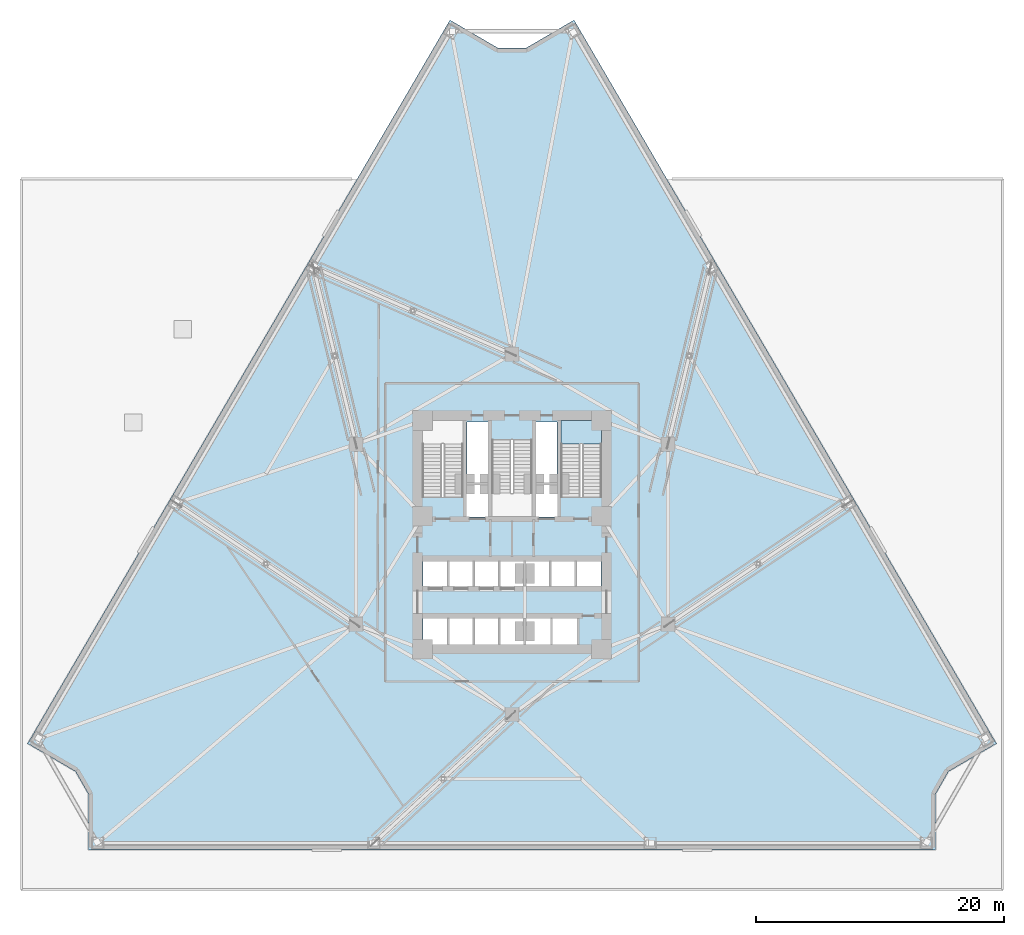
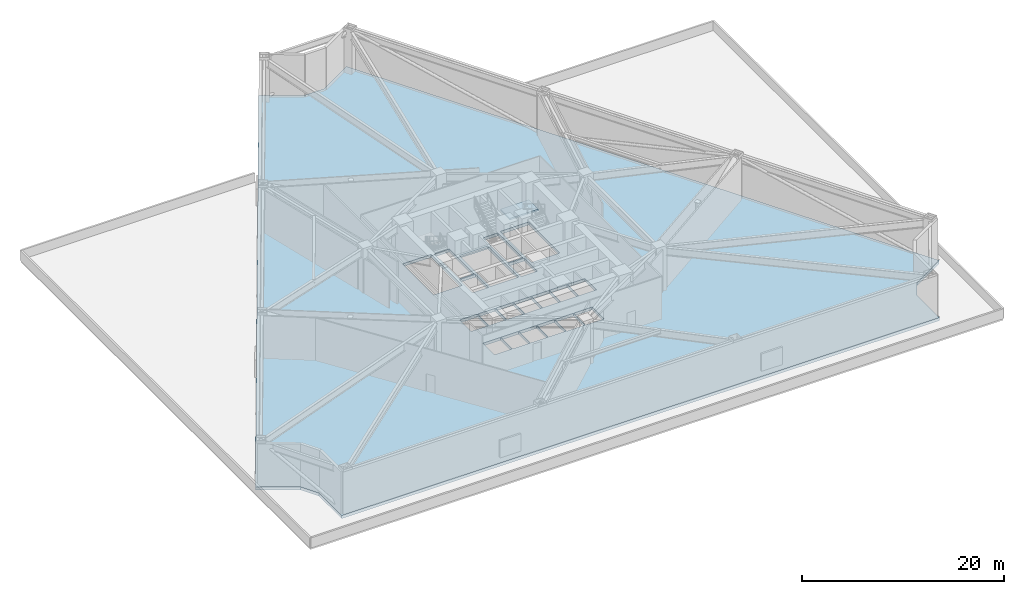
# One storey, part 11 of 23: 2 slabs, 1 element without a shape of its own.
"""IFC4 building model written with IfcOpenShell, lengths in metres."""

import ifcopenshell
import ifcopenshell.guid

model = None  # the IFC model being written
_history = None  # IfcOwnerHistory: only IFC2X3 demands one
_inside = {}  # id of a spatial element -> (the spatial element, [elements in it])
_under = {}  # id of a project, library or spatial element -> (it, [spatial elements below it])
_declared = {}  # id of a project -> (the project, [libraries it declares])
_typed = {}  # id of a type object -> (the type object, [elements of that type])
_made_of = {}  # id of a material, layer set ... -> (it, [elements and type objects made of it])


def new_model(schema):
    """Start an empty IFC model of exactly this schema.

    Asked for "IFC4X3", IfcOpenShell would pick the latest addendum, in which some entities
    have other attributes; the version numbers below select the first issue.
    IFC2X3 requires an IfcOwnerHistory on every rooted entity: one is made here for all.
    """
    global model, _history
    if schema == "IFC4X3":
        model = ifcopenshell.file(schema_version=(4, 3, 0, 0))
    else:
        model = ifcopenshell.file(schema=schema)
    _inside.clear()
    _under.clear()
    _declared.clear()
    _typed.clear()
    _made_of.clear()
    _history = None
    if model.schema == "IFC2X3":
        org = make("IfcOrganization", Name="unknown")
        user = make(
            "IfcPersonAndOrganization",
            ThePerson=make("IfcPerson", FamilyName="unknown"),
            TheOrganization=org,
        )
        app = make(
            "IfcApplication",
            ApplicationDeveloper=org,
            Version="unknown",
            ApplicationFullName="unknown",
            ApplicationIdentifier="unknown",
        )
        _history = make(
            "IfcOwnerHistory",
            OwningUser=user,
            OwningApplication=app,
            ChangeAction="ADDED",
            CreationDate=0,
        )
    return model


def make(cls, **values):
    """One entity of the class cls with the attributes given. An attribute that is None is left unset."""
    return model.create_entity(
        cls, **{name: value for name, value in values.items() if value is not None}
    )


def rooted(cls, **values):
    """An entity with a GlobalId (a new one), such as an element, a storey or a relation."""
    return make(cls, GlobalId=ifcopenshell.guid.new(), OwnerHistory=_history, **values)


def si_unit(unit_type, name, prefix=None):
    """IfcSIUnit, for example si_unit("LENGTHUNIT", "METRE", prefix="MILLI")."""
    return make("IfcSIUnit", UnitType=unit_type, Prefix=prefix, Name=name)


def assignment(units):
    """IfcUnitAssignment: the units of a project."""
    return None if units is None else make("IfcUnitAssignment", Units=units)


def point(xyz):
    """IfcCartesianPoint."""
    return None if xyz is None else make("IfcCartesianPoint", Coordinates=xyz)


def direction(xyz):
    """IfcDirection."""
    return None if xyz is None else make("IfcDirection", DirectionRatios=xyz)


def frame(location, z_axis=None, x_axis=None):
    """IfcAxis2Placement3D, a coordinate frame: its origin and axes. An axis left out is left unset."""
    return make(
        "IfcAxis2Placement3D",
        Location=point(location),
        Axis=direction(z_axis),
        RefDirection=direction(x_axis),
    )


def origin():
    """The frame at (0, 0, 0) with its axes left unset."""
    return frame((0.0, 0.0, 0.0))


def place(relative_to, where):
    """IfcLocalPlacement: puts the frame where relative to a parent placement (None: the world)."""
    return make(
        "IfcLocalPlacement", PlacementRelTo=relative_to, RelativePlacement=where
    )


def context(
    kind, dimensions, precision=None, world=None, true_north=None, identifier=None
):
    """IfcGeometricRepresentationContext, for example the 3D "Model" context."""
    return make(
        "IfcGeometricRepresentationContext",
        ContextIdentifier=identifier,
        ContextType=kind,
        CoordinateSpaceDimension=dimensions,
        Precision=precision,
        WorldCoordinateSystem=world,
        TrueNorth=true_north,
    )


def subcontext(parent, identifier, kind, view, scale=None):
    """IfcGeometricRepresentationSubContext, for example "Body" below "Model"."""
    return make(
        "IfcGeometricRepresentationSubContext",
        ContextIdentifier=identifier,
        ContextType=kind,
        ParentContext=parent,
        TargetScale=scale,
        TargetView=view,
    )


def project(units=None, contexts=None):
    """IfcProject with its units and contexts."""
    return rooted(
        "IfcProject",
        Name="project",
        RepresentationContexts=contexts,
        UnitsInContext=assignment(units),
    )


def spatial(cls, under=None, at=None, **own):
    """A site, building, storey or space (cls), placed at a placement, below another one or the project."""
    s = rooted(cls, ObjectPlacement=at, **own)
    if under is not None:
        _under.setdefault(under.id(), (under, []))[1].append(s)
    return s


def polyline(points):
    """IfcPolyline through the points."""
    return make("IfcPolyline", Points=[point(p) for p in points])


def outline(outer, holes=None, kind="AREA"):
    """IfcArbitraryClosedProfileDef: a profile drawn as a closed curve; with holes, ...WithVoids."""
    if holes is None:
        return make("IfcArbitraryClosedProfileDef", ProfileType=kind, OuterCurve=outer)
    return make(
        "IfcArbitraryProfileDefWithVoids",
        ProfileType=kind,
        OuterCurve=outer,
        InnerCurves=holes,
    )


def extrude(swept, where, along, depth):
    """IfcExtrudedAreaSolid: the profile swept, set in the frame where, extruded along a direction by depth."""
    return make(
        "IfcExtrudedAreaSolid",
        SweptArea=swept,
        Position=where,
        ExtrudedDirection=direction(along),
        Depth=depth,
    )


def shape(context_of_items, identifier, shape_type, items):
    """IfcShapeRepresentation: the items that make up one representation, for example the "Body"."""
    return make(
        "IfcShapeRepresentation",
        ContextOfItems=context_of_items,
        RepresentationIdentifier=identifier,
        RepresentationType=shape_type,
        Items=items,
    )


def material(Name=None, Category=None):
    """IfcMaterial."""
    return make("IfcMaterial", Name=Name, Category=Category)


def layer(
    of_material, thickness, ventilated=None, Name=None, Category=None, Priority=None
):
    """IfcMaterialLayer: one layer of a wall or slab, of a material (None: an air gap)."""
    return make(
        "IfcMaterialLayer",
        Material=of_material,
        LayerThickness=thickness,
        IsVentilated=ventilated,
        Name=Name,
        Category=Category,
        Priority=Priority,
    )


def layer_set(layers, Name=None):
    """IfcMaterialLayerSet."""
    return make("IfcMaterialLayerSet", MaterialLayers=layers, LayerSetName=Name)


def made_of(thing, what):
    """Note that an element or type object is made of a material, layer set ...; save() writes the relation."""
    if what is not None:
        _made_of.setdefault(what.id(), (what, []))[1].append(thing)
    return thing


def type_object(cls, material=None, **own):
    """A type object (cls), such as IfcWallType, which elements share."""
    return made_of(rooted(cls, **own), material)


def element(
    cls,
    number,
    at=None,
    inside=None,
    cuts=None,
    type_object=None,
    material=None,
    context=None,
    identifier="Body",
    shape_type=None,
    held_by="IfcProductDefinitionShape",
    body=None,
    shapes=None,
    **own,
):
    """One element of the class cls, such as IfcWall. Its Tag is "e" and its number.

    at: its placement. inside: the storey or other place that contains it. cuts: it is an
    opening in that element (IfcRelVoidsElement). A single representation is given by context,
    identifier, shape_type and body (its items); several are given by shapes. held_by: the class
    of the entity that holds the representations. save() writes the other relations.
    """
    e = rooted(cls, Tag="e%d" % number, ObjectPlacement=at, **own)
    if body is not None:
        shapes = [shape(context, identifier, shape_type, body)]
    if shapes is not None:
        e.Representation = make(held_by, Representations=shapes)
    if inside is not None:
        _inside.setdefault(inside.id(), (inside, []))[1].append(e)
    if cuts is not None:
        rooted(
            "IfcRelVoidsElement", RelatingBuildingElement=cuts, RelatedOpeningElement=e
        )
    if type_object is not None:
        _typed.setdefault(type_object.id(), (type_object, []))[1].append(e)
    return made_of(e, material)


def aggregate(whole, parts):
    """IfcRelAggregates: a whole, such as a stair, and the parts it consists of."""
    return rooted("IfcRelAggregates", RelatingObject=whole, RelatedObjects=parts)


def save(model, path):
    """Write the relations noted so far, then the file.

    IfcRelAggregates (storeys below a building ...), IfcRelContainedInSpatialStructure (elements
    in a storey), IfcRelDefinesByType, IfcRelAssociatesMaterial and IfcRelDeclares: one each for
    every whole, place, type object, material and project.
    """
    for whole, parts in _under.values():
        aggregate(whole, parts)
    for where, things in _inside.values():
        rooted(
            "IfcRelContainedInSpatialStructure",
            RelatedElements=things,
            RelatingStructure=where,
        )
    for kind, things in _typed.values():
        rooted("IfcRelDefinesByType", RelatedObjects=things, RelatingType=kind)
    for what, things in _made_of.values():
        rooted("IfcRelAssociatesMaterial", RelatedObjects=things, RelatingMaterial=what)
    for by, libraries in _declared.values():
        rooted("IfcRelDeclares", RelatingContext=by, RelatedDefinitions=libraries)
    model.write(path)


model = new_model("IFC4")

# Units and contexts
model_context = context("Model", 3, precision=1e-05, world=origin(), true_north=direction((0.0, 1.0)))
body_context = subcontext(model_context, "Body", "Model", "MODEL_VIEW")
ifc_project = project(units=[si_unit("LENGTHUNIT", "METRE"), si_unit("AREAUNIT", "SQUARE_METRE"), si_unit("VOLUMEUNIT", "CUBIC_METRE"), si_unit("PLANEANGLEUNIT", "RADIAN"), si_unit("MASSUNIT", "GRAM", prefix="KILO")], contexts=[model_context])

# Site, building, storey
site_placement = place(None, origin())
site = spatial("IfcSite", under=ifc_project, at=site_placement, CompositionType="ELEMENT")
building_placement = place(site_placement, origin())
building = spatial("IfcBuilding", under=site, at=building_placement, Name="Apsidion Concourse Tower", CompositionType="ELEMENT")
storey_placement = place(building_placement, frame((0.0, 0.0, 29.0)))
storey = spatial("IfcBuildingStorey", under=building, at=storey_placement, Name="L05", CompositionType="ELEMENT", Elevation=29.0)

# Slab
ifc_material_1 = material(Name="Concrete C50/60", Category="concrete")
ifc_layer_1 = layer(ifc_material_1, 0.35009765625)
ifc_layer_set_1 = layer_set([ifc_layer_1], Name="Concrete C50/60")
slab_type_1 = type_object("IfcSlabType", Name="SL-FLR-350", PredefinedType="FLOOR", material=ifc_layer_set_1)
slab_1_placement = place(storey_placement, frame((0.0, 0.0, -0.35009765625)))
element("IfcSlab", 1, at=slab_1_placement, inside=storey, type_object=slab_type_1, Name="L05 Structural Floor Slab", PredefinedType="FLOOR", context=body_context, shape_type="SweptSolid", body=[
    extrude(outline(polyline([(4.99462890625, 41.3955078125), (1.13427734375, 39.141357421875), (-1.13427734375, 39.141357421875), (-4.99462890625, 41.3955078125), (-38.99951171875, -16.845458984375), (-35.138916015625, -19.099365234375), (-34.088134765625, -20.9296875), (-34.088134765625, -25.39990234375), (34.088134765625, -25.39990234375), (34.088134765625, -20.9296875), (35.138916015625, -19.099365234375), (38.99951171875, -16.845458984375), (4.99462890625, 41.3955078125)]), holes=[polyline([(-3.949951171875, 3.0), (-3.949951171875, 9.14990234375), (-7.199951171875, 9.14990234375), (-7.199951171875, 3.0), (-3.949951171875, 3.0)]), polyline([(7.199951171875, 3.0), (7.199951171875, 9.14990234375), (3.949951171875, 9.14990234375), (3.949951171875, 3.0), (7.199951171875, 3.0)]), polyline([(-1.625, 7.60009765625), (-1.625, 1.449951171875), (1.625, 1.449951171875), (1.625, 7.60009765625), (-1.625, 7.60009765625)]), polyline([(-7.14501953125, -4.300048828125), (-5.155029296875, -4.300048828125), (-5.155029296875, -2.050048828125), (-7.14501953125, -2.050048828125), (-7.14501953125, -4.300048828125)]), polyline([(-5.094970703125, -4.300048828125), (-3.10498046875, -4.300048828125), (-3.10498046875, -2.050048828125), (-5.094970703125, -2.050048828125), (-5.094970703125, -4.300048828125)]), polyline([(-3.044921875, -4.300048828125), (-1.054931640625, -4.300048828125), (-1.054931640625, -2.050048828125), (-3.044921875, -2.050048828125), (-3.044921875, -4.300048828125)]), polyline([(-0.9951171875, -4.300048828125), (0.9951171875, -4.300048828125), (0.9951171875, -2.050048828125), (-0.9951171875, -2.050048828125), (-0.9951171875, -4.300048828125)]), polyline([(1.054931640625, -4.300048828125), (3.044921875, -4.300048828125), (3.044921875, -2.050048828125), (1.054931640625, -2.050048828125), (1.054931640625, -4.300048828125)]), polyline([(3.10498046875, -4.300048828125), (5.094970703125, -4.300048828125), (5.094970703125, -2.050048828125), (3.10498046875, -2.050048828125), (3.10498046875, -4.300048828125)]), polyline([(5.155029296875, -4.300048828125), (7.14501953125, -4.300048828125), (7.14501953125, -2.050048828125), (5.155029296875, -2.050048828125), (5.155029296875, -4.300048828125)]), polyline([(-7.14501953125, -8.949951171875), (-5.155029296875, -8.949951171875), (-5.155029296875, -6.64990234375), (-7.14501953125, -6.64990234375), (-7.14501953125, -8.949951171875)]), polyline([(-5.094970703125, -8.949951171875), (-3.10498046875, -8.949951171875), (-3.10498046875, -6.64990234375), (-5.094970703125, -6.64990234375), (-5.094970703125, -8.949951171875)]), polyline([(-3.044921875, -8.949951171875), (-1.054931640625, -8.949951171875), (-1.054931640625, -6.64990234375), (-3.044921875, -6.64990234375), (-3.044921875, -8.949951171875)]), polyline([(-0.9951171875, -8.949951171875), (0.9951171875, -8.949951171875), (0.9951171875, -6.64990234375), (-0.9951171875, -6.64990234375), (-0.9951171875, -8.949951171875)]), polyline([(1.044921875, -9.0), (3.155029296875, -9.0), (3.155029296875, -6.64990234375), (1.044921875, -6.64990234375), (1.044921875, -9.0)]), polyline([(3.195068359375, -9.0), (5.304931640625, -9.0), (5.304931640625, -6.64990234375), (3.195068359375, -6.64990234375), (3.195068359375, -9.0)]), polyline([(-3.7099609375, 1.39990234375), (-1.85009765625, 1.39990234375), (-1.85009765625, 4.0), (-3.7099609375, 4.0), (-3.7099609375, 1.39990234375)]), polyline([(1.85009765625, 1.39990234375), (3.7099609375, 1.39990234375), (3.7099609375, 4.0), (1.85009765625, 4.0), (1.85009765625, 1.39990234375)]), polyline([(-3.6201171875, 4.14990234375), (-1.93994140625, 4.14990234375), (-1.93994140625, 9.050048828125), (-3.6201171875, 9.050048828125), (-3.6201171875, 4.14990234375)]), polyline([(1.93994140625, 4.14990234375), (3.6201171875, 4.14990234375), (3.6201171875, 9.050048828125), (1.93994140625, 9.050048828125), (1.93994140625, 4.14990234375)])]), origin(), (0.0, 0.0, 1.0), 0.35009765625),
])

# Stair, slab
ifc_material_2 = material(Name="Precast concrete C40/50", Category="concrete")
stair_type = type_object("IfcStairType", Name="ST-DL-1550", PredefinedType="HALF_TURN_STAIR", material=ifc_material_2)
stair_placement = place(storey_placement, origin())
stair = element("IfcStair", 2, at=stair_placement, inside=storey, type_object=stair_type, Name="L05 Protected Core Exit Stair ST2", PredefinedType="HALF_TURN_STAIR")
ifc_layer_2 = layer(ifc_material_1, 0.199951171875)
ifc_layer_set_2 = layer_set([ifc_layer_2], Name="Concrete C50/60")
slab_type_2 = type_object("IfcSlabType", Name="SL-ST-LAND-200", PredefinedType="LANDING", material=ifc_layer_set_2)
slab_2_placement = place(storey_placement, frame((0.0, 0.0, 2.5)))
slab_2 = element("IfcSlab", 3, at=slab_2_placement, type_object=slab_type_2, Name="ST2 landing 1", PredefinedType="LANDING", context=body_context, shape_type="SweptSolid", body=[
    extrude(outline(polyline([(7.199951171875, 7.27490234375), (7.199951171875, 9.14990234375), (3.949951171875, 9.14990234375), (3.949951171875, 7.27490234375), (7.199951171875, 7.27490234375)])), origin(), (0.0, 0.0, 1.0), 0.199951171875),
])
aggregate(stair, [slab_2])

save(model, "model.ifc")
